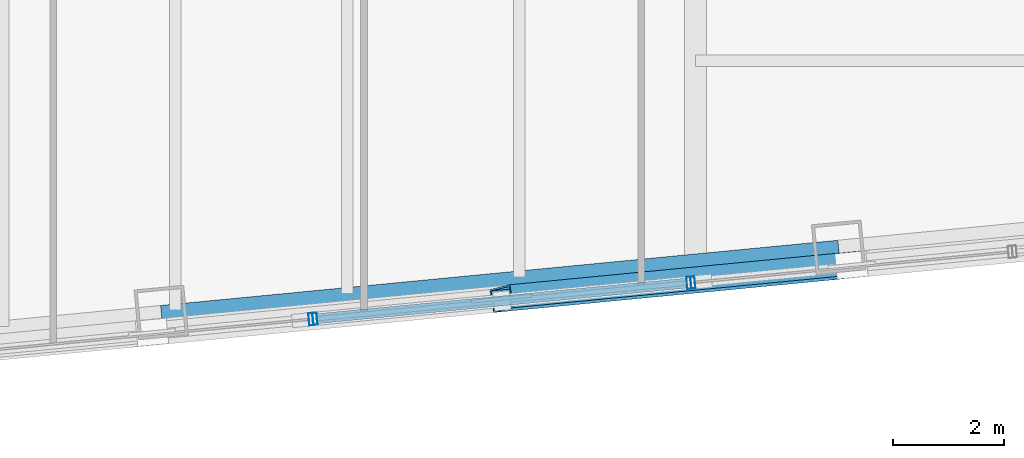
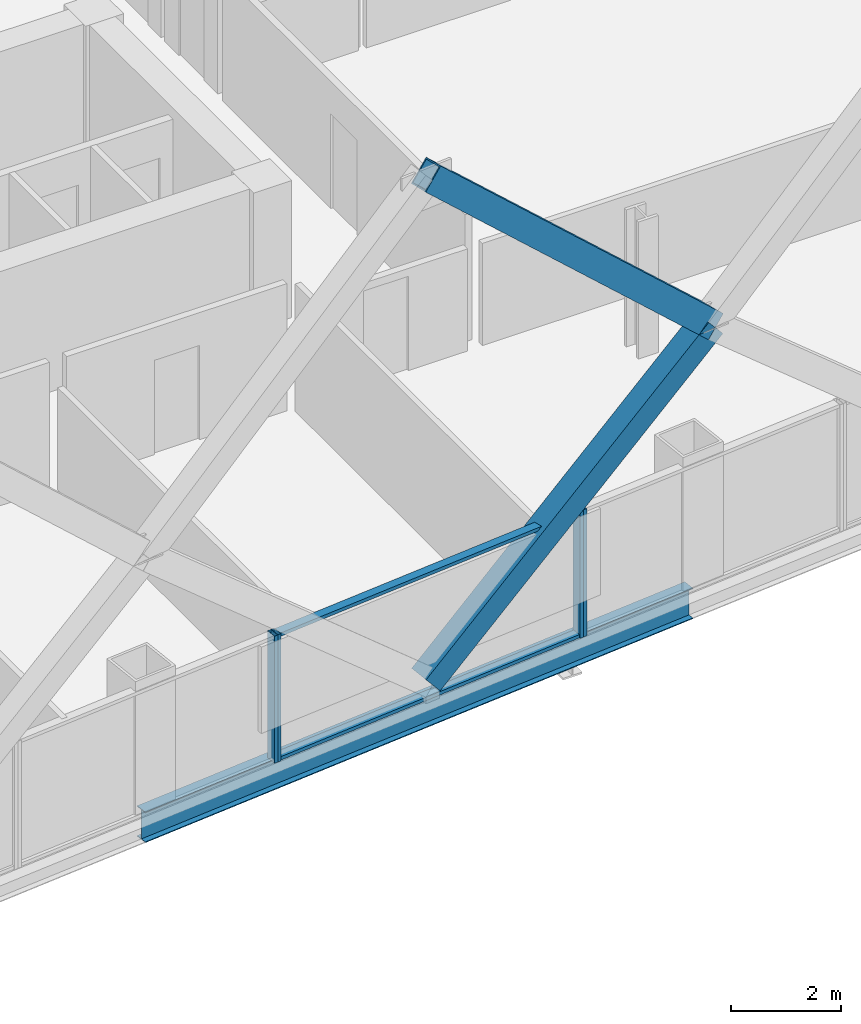
# One storey, part 7 of 32: 8 members, 1 beam, 3 elements without a shape of their own.
"""IFC4 building model written with IfcOpenShell, lengths in metres."""

from ifc_helpers import new_model, si_unit, direction, frame, origin, origin_2d, place, context, subcontext, project, spatial, hollow_rectangle, i_section, extrude, material, layer, layer_set, material_profile, profile_set, type_object, element, aggregate, save


model = new_model("IFC4")

# Units and contexts
model_context = context("Model", 3, precision=1e-05, world=origin(), true_north=direction((0.0, 1.0)))
body_context = subcontext(model_context, "Body", "Model", "MODEL_VIEW")
ifc_project = project(units=[si_unit("LENGTHUNIT", "METRE"), si_unit("AREAUNIT", "SQUARE_METRE"), si_unit("VOLUMEUNIT", "CUBIC_METRE"), si_unit("PLANEANGLEUNIT", "RADIAN"), si_unit("MASSUNIT", "GRAM", prefix="KILO")], contexts=[model_context])

# Site, building, storey
site_placement = place(None, origin())
site = spatial("IfcSite", under=ifc_project, at=site_placement, CompositionType="ELEMENT")
building_placement = place(site_placement, origin())
building = spatial("IfcBuilding", under=site, at=building_placement, Name="Qhalaya Broadcast Tower", CompositionType="ELEMENT")
storey_placement = place(building_placement, frame((0.0, 0.0, 81.64990234375)))
storey = spatial("IfcBuildingStorey", under=building, at=storey_placement, Name="L23", CompositionType="ELEMENT", Elevation=81.64990234375)

# Members
ifc_material_1 = material(Name="Structural Steel ASTM A572 Grade 50", Category="steel")
ifc_material_profile_1 = material_profile(ifc_material_1, hollow_rectangle(XDim=0.419921875, YDim=0.550048828125, WallThickness=0.028076171875, at=origin_2d()), Name="BOX 420x550x28")
ifc_profile_set_1 = profile_set([ifc_material_profile_1], Name="Structural Steel ASTM A572 Grade 50")
member_type_1 = type_object("IfcMemberType", Name="Exoskeleton Diamond Diagonal Mid-Low EX2", PredefinedType="BRACE", material=ifc_profile_set_1)
member_1_placement = place(storey_placement, frame((5.882568359375, -20.78759765625, 0.360107421875), z_axis=(0.758623109813, 0.073068265137, 0.647419497612), x_axis=(-0.157198457908, 0.984861786248, 0.07304729167)))
element("IfcMember", 1, at=member_1_placement, inside=storey, type_object=member_type_1, Name="B2 Exoskeleton Diamond Brace S2-D2", PredefinedType="BRACE", context=body_context, shape_type="SweptSolid", body=[
    extrude(hollow_rectangle(XDim=0.419921875, YDim=0.550048828125, WallThickness=0.028076171875, at=origin_2d()), origin(), (0.0, 0.0, 1.0), 8.309814453125),
])
member_2_placement = place(storey_placement, frame((12.1865234375, -20.180419921875, 5.739990234375), z_axis=(-0.730604909432, -0.070369637495, 0.679164619538), x_axis=(0.160227077256, -0.984570078865, 0.07034943864)))
element("IfcMember", 2, at=member_2_placement, inside=storey, type_object=member_type_1, Name="B2 Exoskeleton Diamond Brace S2-D4", PredefinedType="BRACE", context=body_context, shape_type="SweptSolid", body=[
    extrude(hollow_rectangle(XDim=0.419921875, YDim=0.550048828125, WallThickness=0.028076171875, at=origin_2d()), origin(), (0.0, 0.0, 1.0), 8.62841796875),
])

# Beam
ifc_material_2 = material(Name="Structural Steel ASTM A992 Grade 50", Category="steel")
ifc_material_profile_2 = material_profile(ifc_material_2, i_section(OverallWidth=0.25390625, OverallDepth=0.68310546875, WebThickness=0.012451171875, FlangeThickness=0.01904296875, at=origin_2d()), Name="W27X94")
ifc_profile_set_2 = profile_set([ifc_material_profile_2], Name="Structural Steel ASTM A992 Grade 50")
beam_type = type_object("IfcBeamType", Name="Perimeter Ring Spandrel Beam SP1", PredefinedType="SPANDREL", material=ifc_profile_set_2)
beam_placement = place(storey_placement, frame((-0.255126953125, -21.036865234375, -0.5615234375), z_axis=(0.99539563662, 0.095851586307, 0.0), x_axis=(-0.095851586307, 0.99539563662, 0.0)))
element("IfcBeam", 3, at=beam_placement, inside=storey, type_object=beam_type, Name="L23 SP1 L23-SPR-02", PredefinedType="SPANDREL", context=body_context, shape_type="SweptSolid", body=[
    extrude(i_section(OverallWidth=0.25390625, OverallDepth=0.68310546875, WebThickness=0.012451171875, FlangeThickness=0.01904296875, at=origin_2d()), origin(), (0.0, 0.0, 1.0), 12.2666015625),
])

# Curtain wall, member
ifc_material_3 = material(Name="Solar-Control Low-E Triple Glazing", Category="glass")
ifc_layer_1 = layer(ifc_material_3, 0.219970703125, Name="Solar-Control Low-E Triple Glazing")
ifc_layer_set_1 = layer_set([ifc_layer_1], Name="Solar-Control Low-E Triple Glazing")
curtain_wall_type_1 = type_object("IfcCurtainWallType", Name="Even-Block 4-Storey Double-Module Curtain Wall CW-03", PredefinedType="NOTDEFINED", material=ifc_layer_set_1)
curtain_wall_1_placement = place(storey_placement, origin())
curtain_wall_1 = element("IfcCurtainWall", 4, at=curtain_wall_1_placement, inside=storey, type_object=curtain_wall_type_1, Name="L23 Unitised Curtain Wall L23-CW-S3", PredefinedType="NOTDEFINED")
ifc_material_4 = material(Name="Anodised Aluminium 6063-T6", Category="aluminium")
ifc_material_profile_3 = material_profile(ifc_material_4, hollow_rectangle(XDim=0.074951171875, YDim=0.219970703125, WallThickness=0.00390625, at=origin_2d()), Name="ALU-MUL 75x220x4")
ifc_profile_set_3 = profile_set([ifc_material_profile_3], Name="Anodised Aluminium 6063-T6")
member_type_2 = type_object("IfcMemberType", Name="Unitised Curtain-Wall Mullion M01", PredefinedType="MULLION", material=ifc_profile_set_3)
member_3_placement = place(storey_placement, frame((2.442626953125, -21.158935546875, 0.0), z_axis=(0.0, 0.0, 1.0), x_axis=(0.995396371729, 0.095843952075, 0.0)))
member_3 = element("IfcMember", 5, at=member_3_placement, type_object=member_type_2, Name="CW-03 mullion 2", PredefinedType="MULLION", context=body_context, shape_type="SweptSolid", body=[
    extrude(hollow_rectangle(XDim=0.074951171875, YDim=0.219970703125, WallThickness=0.00390625, at=origin_2d()), origin(), (0.0, 0.0, 1.0), 2.830078125),
])
aggregate(curtain_wall_1, [member_3])

# Curtain wall, members
ifc_material_5 = material(Name="Fired Architectural Terracotta", Category="masonry")
ifc_layer_2 = layer(ifc_material_5, 0.219970703125, Name="Fired Architectural Terracotta")
ifc_layer_set_2 = layer_set([ifc_layer_2], Name="Fired Architectural Terracotta")
curtain_wall_type_2 = type_object("IfcCurtainWallType", Name="Block-Cap Unitised Terracotta Spandrel Wall CW-07", PredefinedType="NOTDEFINED", material=ifc_layer_set_2)
curtain_wall_2_placement = place(storey_placement, origin())
curtain_wall_2 = element("IfcCurtainWall", 6, at=curtain_wall_2_placement, inside=storey, type_object=curtain_wall_type_2, Name="L23 Unitised Curtain Wall L23-CW-S4", PredefinedType="NOTDEFINED")
member_4_placement = place(storey_placement, frame((2.517333984375, -21.151611328125, 0.0), z_axis=(0.0, 0.0, 1.0), x_axis=(0.995395768185, 0.095850220023, 0.0)))
member_4 = element("IfcMember", 7, at=member_4_placement, type_object=member_type_2, Name="CW-07 mullion 1", PredefinedType="MULLION", context=body_context, shape_type="SweptSolid", body=[
    extrude(hollow_rectangle(XDim=0.074951171875, YDim=0.219970703125, WallThickness=0.00390625, at=origin_2d()), origin(), (0.0, 0.0, 1.0), 2.830078125),
])
member_5_placement = place(storey_placement, frame((9.255126953125, -20.5029296875, 0.0), z_axis=(0.0, 0.0, 1.0), x_axis=(0.995395768185, 0.095850220023, 0.0)))
member_5 = element("IfcMember", 8, at=member_5_placement, type_object=member_type_2, Name="CW-07 mullion 2", PredefinedType="MULLION", context=body_context, shape_type="SweptSolid", body=[
    extrude(hollow_rectangle(XDim=0.074951171875, YDim=0.219970703125, WallThickness=0.00390625, at=origin_2d()), origin(), (0.0, 0.0, 1.0), 2.830078125),
])

# Curtain wall, member
curtain_wall_3_placement = place(storey_placement, origin())
curtain_wall_3 = element("IfcCurtainWall", 9, at=curtain_wall_3_placement, inside=storey, type_object=curtain_wall_type_1, Name="L23 Unitised Curtain Wall L23-CW-S5", PredefinedType="NOTDEFINED")
member_6_placement = place(storey_placement, frame((9.329833984375, -20.49560546875, 0.0), z_axis=(0.0, 0.0, 1.0), x_axis=(0.995396371729, 0.095843952075, 0.0)))
member_6 = element("IfcMember", 10, at=member_6_placement, type_object=member_type_2, Name="CW-03 mullion 1", PredefinedType="MULLION", context=body_context, shape_type="SweptSolid", body=[
    extrude(hollow_rectangle(XDim=0.074951171875, YDim=0.219970703125, WallThickness=0.00390625, at=origin_2d()), origin(), (0.0, 0.0, 1.0), 2.830078125),
])
aggregate(curtain_wall_3, [member_6])

# Member
ifc_material_profile_4 = material_profile(ifc_material_4, hollow_rectangle(XDim=0.074951171875, YDim=0.179931640625, WallThickness=0.00390625, at=origin_2d()), Name="ALU-TRN 75x180x4")
ifc_profile_set_4 = profile_set([ifc_material_profile_4], Name="Anodised Aluminium 6063-T6")
member_type_3 = type_object("IfcMemberType", Name="Unitised Curtain-Wall Transom T01", PredefinedType="USERDEFINED", material=ifc_profile_set_4)
member_7_placement = place(storey_placement, frame((2.5546875, -21.148193359375, 0.03759765625), z_axis=(0.995395922443, 0.095848618063, 0.0), x_axis=(0.0, 0.0, 1.0)))
member_7 = element("IfcMember", 11, at=member_7_placement, type_object=member_type_3, Name="CW-07 transom 1.1", ObjectType="TRANSOM", PredefinedType="USERDEFINED", context=body_context, shape_type="SweptSolid", body=[
    extrude(hollow_rectangle(XDim=0.074951171875, YDim=0.179931640625, WallThickness=0.00390625, at=origin_2d()), origin(), (0.0, 0.0, 1.0), 6.69384765625),
])

member_8_placement = place(storey_placement, frame((2.5546875, -21.148193359375, 2.79248046875), z_axis=(0.995395922443, 0.095848618063, 0.0), x_axis=(0.0, 0.0, 1.0)))
member_8 = element("IfcMember", 12, at=member_8_placement, type_object=member_type_3, Name="CW-07 transom 1.2", ObjectType="TRANSOM", PredefinedType="USERDEFINED", context=body_context, shape_type="SweptSolid", body=[
    extrude(hollow_rectangle(XDim=0.074951171875, YDim=0.179931640625, WallThickness=0.00390625, at=origin_2d()), origin(), (0.0, 0.0, 1.0), 6.69384765625),
])

aggregate(curtain_wall_2, [member_4, member_5, member_7, member_8])

save(model, "model.ifc")
